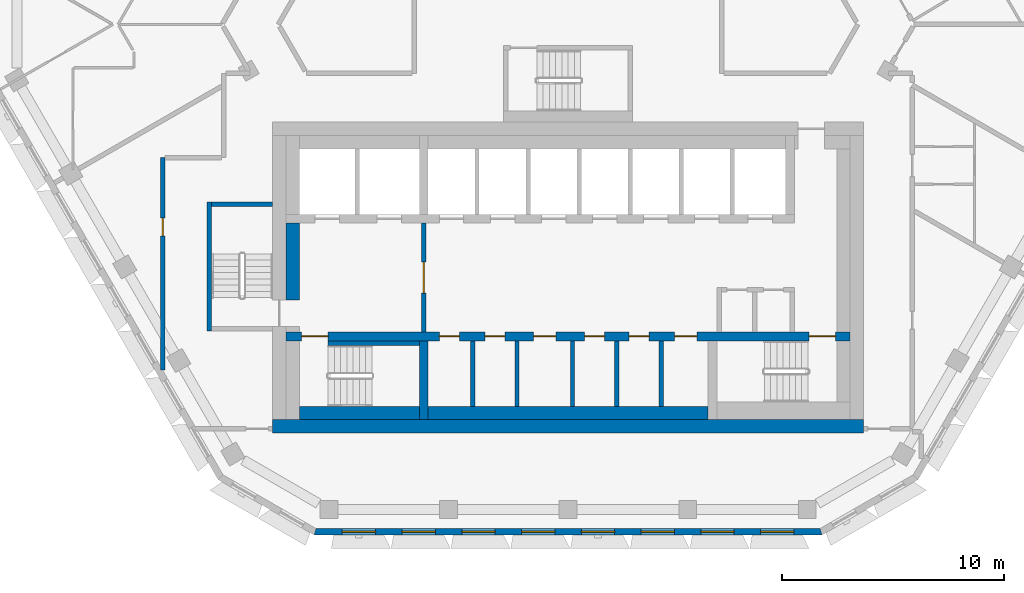
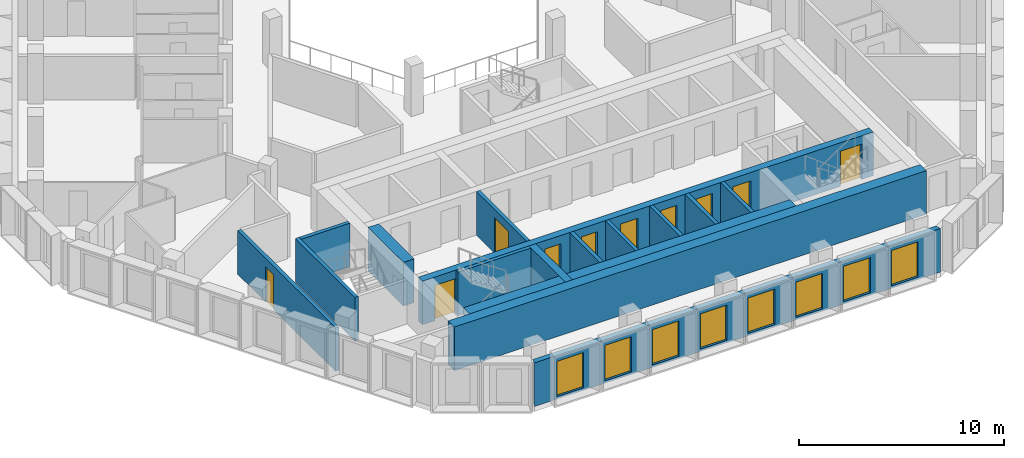
# One storey, part 3 of 18: 17 walls, 10 doors, 8 windows, 18 openings.
"""IFC4 building model written with IfcOpenShell, lengths in metres."""

import ifcopenshell
import ifcopenshell.guid

model = None  # the IFC model being written
_history = None  # IfcOwnerHistory: only IFC2X3 demands one
_inside = {}  # id of a spatial element -> (the spatial element, [elements in it])
_under = {}  # id of a project, library or spatial element -> (it, [spatial elements below it])
_declared = {}  # id of a project -> (the project, [libraries it declares])
_typed = {}  # id of a type object -> (the type object, [elements of that type])
_made_of = {}  # id of a material, layer set ... -> (it, [elements and type objects made of it])


def new_model(schema):
    """Start an empty IFC model of exactly this schema.

    Asked for "IFC4X3", IfcOpenShell would pick the latest addendum, in which some entities
    have other attributes; the version numbers below select the first issue.
    IFC2X3 requires an IfcOwnerHistory on every rooted entity: one is made here for all.
    """
    global model, _history
    if schema == "IFC4X3":
        model = ifcopenshell.file(schema_version=(4, 3, 0, 0))
    else:
        model = ifcopenshell.file(schema=schema)
    _inside.clear()
    _under.clear()
    _declared.clear()
    _typed.clear()
    _made_of.clear()
    _history = None
    if model.schema == "IFC2X3":
        org = make("IfcOrganization", Name="unknown")
        user = make(
            "IfcPersonAndOrganization",
            ThePerson=make("IfcPerson", FamilyName="unknown"),
            TheOrganization=org,
        )
        app = make(
            "IfcApplication",
            ApplicationDeveloper=org,
            Version="unknown",
            ApplicationFullName="unknown",
            ApplicationIdentifier="unknown",
        )
        _history = make(
            "IfcOwnerHistory",
            OwningUser=user,
            OwningApplication=app,
            ChangeAction="ADDED",
            CreationDate=0,
        )
    return model


def make(cls, **values):
    """One entity of the class cls with the attributes given. An attribute that is None is left unset."""
    return model.create_entity(
        cls, **{name: value for name, value in values.items() if value is not None}
    )


def rooted(cls, **values):
    """An entity with a GlobalId (a new one), such as an element, a storey or a relation."""
    return make(cls, GlobalId=ifcopenshell.guid.new(), OwnerHistory=_history, **values)


def si_unit(unit_type, name, prefix=None):
    """IfcSIUnit, for example si_unit("LENGTHUNIT", "METRE", prefix="MILLI")."""
    return make("IfcSIUnit", UnitType=unit_type, Prefix=prefix, Name=name)


def assignment(units):
    """IfcUnitAssignment: the units of a project."""
    return None if units is None else make("IfcUnitAssignment", Units=units)


def point(xyz):
    """IfcCartesianPoint."""
    return None if xyz is None else make("IfcCartesianPoint", Coordinates=xyz)


def direction(xyz):
    """IfcDirection."""
    return None if xyz is None else make("IfcDirection", DirectionRatios=xyz)


def frame(location, z_axis=None, x_axis=None):
    """IfcAxis2Placement3D, a coordinate frame: its origin and axes. An axis left out is left unset."""
    return make(
        "IfcAxis2Placement3D",
        Location=point(location),
        Axis=direction(z_axis),
        RefDirection=direction(x_axis),
    )


def frame_2d(location, x_axis=None):
    """IfcAxis2Placement2D, a coordinate frame in the plane: its origin and x axis."""
    return make(
        "IfcAxis2Placement2D", Location=point(location), RefDirection=direction(x_axis)
    )


def origin():
    """The frame at (0, 0, 0) with its axes left unset."""
    return frame((0.0, 0.0, 0.0))


def place(relative_to, where):
    """IfcLocalPlacement: puts the frame where relative to a parent placement (None: the world)."""
    return make(
        "IfcLocalPlacement", PlacementRelTo=relative_to, RelativePlacement=where
    )


def context(
    kind, dimensions, precision=None, world=None, true_north=None, identifier=None
):
    """IfcGeometricRepresentationContext, for example the 3D "Model" context."""
    return make(
        "IfcGeometricRepresentationContext",
        ContextIdentifier=identifier,
        ContextType=kind,
        CoordinateSpaceDimension=dimensions,
        Precision=precision,
        WorldCoordinateSystem=world,
        TrueNorth=true_north,
    )


def subcontext(parent, identifier, kind, view, scale=None):
    """IfcGeometricRepresentationSubContext, for example "Body" below "Model"."""
    return make(
        "IfcGeometricRepresentationSubContext",
        ContextIdentifier=identifier,
        ContextType=kind,
        ParentContext=parent,
        TargetScale=scale,
        TargetView=view,
    )


def project(units=None, contexts=None):
    """IfcProject with its units and contexts."""
    return rooted(
        "IfcProject",
        Name="project",
        RepresentationContexts=contexts,
        UnitsInContext=assignment(units),
    )


def spatial(cls, under=None, at=None, **own):
    """A site, building, storey or space (cls), placed at a placement, below another one or the project."""
    s = rooted(cls, ObjectPlacement=at, **own)
    if under is not None:
        _under.setdefault(under.id(), (under, []))[1].append(s)
    return s


def polyline(points):
    """IfcPolyline through the points."""
    return make("IfcPolyline", Points=[point(p) for p in points])


def profile(cls, at=None, kind="AREA", **sizes):
    """A parametric profile (cls). Its sizes go by their IFC names, for example OverallWidth=200.0."""
    return make(cls, ProfileType=kind, Position=at, **sizes)


def rectangle(**sizes):
    """IfcRectangleProfileDef."""
    return profile("IfcRectangleProfileDef", **sizes)


def outline(outer, holes=None, kind="AREA"):
    """IfcArbitraryClosedProfileDef: a profile drawn as a closed curve; with holes, ...WithVoids."""
    if holes is None:
        return make("IfcArbitraryClosedProfileDef", ProfileType=kind, OuterCurve=outer)
    return make(
        "IfcArbitraryProfileDefWithVoids",
        ProfileType=kind,
        OuterCurve=outer,
        InnerCurves=holes,
    )


def extrude(swept, where, along, depth):
    """IfcExtrudedAreaSolid: the profile swept, set in the frame where, extruded along a direction by depth."""
    return make(
        "IfcExtrudedAreaSolid",
        SweptArea=swept,
        Position=where,
        ExtrudedDirection=direction(along),
        Depth=depth,
    )


def shape(context_of_items, identifier, shape_type, items):
    """IfcShapeRepresentation: the items that make up one representation, for example the "Body"."""
    return make(
        "IfcShapeRepresentation",
        ContextOfItems=context_of_items,
        RepresentationIdentifier=identifier,
        RepresentationType=shape_type,
        Items=items,
    )


def material(Name=None, Category=None):
    """IfcMaterial."""
    return make("IfcMaterial", Name=Name, Category=Category)


def layer(
    of_material, thickness, ventilated=None, Name=None, Category=None, Priority=None
):
    """IfcMaterialLayer: one layer of a wall or slab, of a material (None: an air gap)."""
    return make(
        "IfcMaterialLayer",
        Material=of_material,
        LayerThickness=thickness,
        IsVentilated=ventilated,
        Name=Name,
        Category=Category,
        Priority=Priority,
    )


def layer_set(layers, Name=None):
    """IfcMaterialLayerSet."""
    return make("IfcMaterialLayerSet", MaterialLayers=layers, LayerSetName=Name)


def made_of(thing, what):
    """Note that an element or type object is made of a material, layer set ...; save() writes the relation."""
    if what is not None:
        _made_of.setdefault(what.id(), (what, []))[1].append(thing)
    return thing


def type_object(cls, material=None, **own):
    """A type object (cls), such as IfcWallType, which elements share."""
    return made_of(rooted(cls, **own), material)


def element(
    cls,
    number,
    at=None,
    inside=None,
    cuts=None,
    type_object=None,
    material=None,
    context=None,
    identifier="Body",
    shape_type=None,
    held_by="IfcProductDefinitionShape",
    body=None,
    shapes=None,
    **own,
):
    """One element of the class cls, such as IfcWall. Its Tag is "e" and its number.

    at: its placement. inside: the storey or other place that contains it. cuts: it is an
    opening in that element (IfcRelVoidsElement). A single representation is given by context,
    identifier, shape_type and body (its items); several are given by shapes. held_by: the class
    of the entity that holds the representations. save() writes the other relations.
    """
    e = rooted(cls, Tag="e%d" % number, ObjectPlacement=at, **own)
    if body is not None:
        shapes = [shape(context, identifier, shape_type, body)]
    if shapes is not None:
        e.Representation = make(held_by, Representations=shapes)
    if inside is not None:
        _inside.setdefault(inside.id(), (inside, []))[1].append(e)
    if cuts is not None:
        rooted(
            "IfcRelVoidsElement", RelatingBuildingElement=cuts, RelatedOpeningElement=e
        )
    if type_object is not None:
        _typed.setdefault(type_object.id(), (type_object, []))[1].append(e)
    return made_of(e, material)


def fill(opening, filler):
    """IfcRelFillsElement: the door or window that sits in an opening."""
    return rooted(
        "IfcRelFillsElement",
        RelatingOpeningElement=opening,
        RelatedBuildingElement=filler,
    )


def aggregate(whole, parts):
    """IfcRelAggregates: a whole, such as a stair, and the parts it consists of."""
    return rooted("IfcRelAggregates", RelatingObject=whole, RelatedObjects=parts)


def save(model, path):
    """Write the relations noted so far, then the file.

    IfcRelAggregates (storeys below a building ...), IfcRelContainedInSpatialStructure (elements
    in a storey), IfcRelDefinesByType, IfcRelAssociatesMaterial and IfcRelDeclares: one each for
    every whole, place, type object, material and project.
    """
    for whole, parts in _under.values():
        aggregate(whole, parts)
    for where, things in _inside.values():
        rooted(
            "IfcRelContainedInSpatialStructure",
            RelatedElements=things,
            RelatingStructure=where,
        )
    for kind, things in _typed.values():
        rooted("IfcRelDefinesByType", RelatedObjects=things, RelatingType=kind)
    for what, things in _made_of.values():
        rooted("IfcRelAssociatesMaterial", RelatedObjects=things, RelatingMaterial=what)
    for by, libraries in _declared.values():
        rooted("IfcRelDeclares", RelatingContext=by, RelatedDefinitions=libraries)
    model.write(path)


model = new_model("IFC4")

# Units and contexts
model_context = context("Model", 3, precision=1e-05, world=origin(), true_north=direction((0.0, 1.0)))
body_context = subcontext(model_context, "Body", "Model", "MODEL_VIEW")
ifc_project = project(units=[si_unit("LENGTHUNIT", "METRE"), si_unit("AREAUNIT", "SQUARE_METRE"), si_unit("VOLUMEUNIT", "CUBIC_METRE"), si_unit("PLANEANGLEUNIT", "RADIAN"), si_unit("MASSUNIT", "GRAM", prefix="KILO")], contexts=[model_context])

# Site, building, storey
site_placement = place(None, origin())
site = spatial("IfcSite", under=ifc_project, at=site_placement, CompositionType="ELEMENT")
building_placement = place(site_placement, origin())
building = spatial("IfcBuilding", under=site, at=building_placement, Name="Beryl Residences", CompositionType="ELEMENT")
storey_placement = place(building_placement, frame((0.0, 0.0, 196.199951171875)))
storey = spatial("IfcBuildingStorey", under=building, at=storey_placement, Name="L60", CompositionType="ELEMENT", Elevation=196.199951171875)

# Wall, openings, windows
ifc_material_1 = material(Name="Composite metal panel with mineral wool insulation")
ifc_layer_1 = layer(ifc_material_1, 0.300048828125)
ifc_layer_set_1 = layer_set([ifc_layer_1], Name="ES1 pale metal composite panel wall 300 mm")
wall_type_1 = type_object("IfcWallType", Name="ES1 pale metal composite panel wall 300 mm", PredefinedType="SOLIDWALL", material=ifc_layer_set_1)
wall_1_placement = place(storey_placement, frame((-11.430908203125, -23.449951171875, 0.0), z_axis=(0.0, 0.0, 1.0), x_axis=(1.0, 0.0, 0.0)))
wall_1 = element("IfcWall", 1, at=wall_1_placement, inside=storey, type_object=wall_type_1, Name="ES1 external wall L60 S", PredefinedType="SOLIDWALL", context=body_context, shape_type="SweptSolid", body=[
    extrude(outline(polyline([(0.0, -0.14990234375), (22.86181640625, -0.14990234375), (22.781494140625, 0.14990234375), (0.080322265625, 0.14990234375), (0.0, -0.14990234375)])), origin(), (0.0, 0.0, 1.0), 2.60009765625),
])
opening_1_placement = place(wall_1_placement, frame((1.260009765625, 0.0, 0.14990234375)))
opening_1 = element("IfcOpeningElement", 2, at=opening_1_placement, cuts=wall_1, Name="Opening W1", PredefinedType="OPENING", context=body_context, shape_type="SweptSolid", body=[
    extrude(rectangle(XDim=1.5, YDim=2.10009765625, at=frame_2d((0.75, 1.050048828125))), frame((0.0, 0.159912109375, 0.0), z_axis=(0.0, -1.0, 0.0), x_axis=(1.0, 0.0, 0.0)), (0.0, 0.0, 1.0), 0.320068359375),
])
opening_2_placement = place(wall_1_placement, frame((3.951904296875, 0.0, 0.14990234375)))
opening_2 = element("IfcOpeningElement", 3, at=opening_2_placement, cuts=wall_1, Name="Opening W1", PredefinedType="OPENING", context=body_context, shape_type="SweptSolid", body=[
    extrude(rectangle(XDim=1.5, YDim=2.10009765625, at=frame_2d((0.75, 1.050048828125))), frame((0.0, 0.159912109375, 0.0), z_axis=(0.0, -1.0, 0.0), x_axis=(1.0, 0.0, 0.0)), (0.0, 0.0, 1.0), 0.320068359375),
])
opening_3_placement = place(wall_1_placement, frame((6.64404296875, 0.0, 0.14990234375)))
opening_3 = element("IfcOpeningElement", 4, at=opening_3_placement, cuts=wall_1, Name="Opening W1", PredefinedType="OPENING", context=body_context, shape_type="SweptSolid", body=[
    extrude(rectangle(XDim=1.5, YDim=2.10009765625, at=frame_2d((0.75, 1.050048828125))), frame((0.0, 0.159912109375, 0.0), z_axis=(0.0, -1.0, 0.0), x_axis=(1.0, 0.0, 0.0)), (0.0, 0.0, 1.0), 0.320068359375),
])
opening_4_placement = place(wall_1_placement, frame((9.3359375, 0.0, 0.14990234375)))
opening_4 = element("IfcOpeningElement", 5, at=opening_4_placement, cuts=wall_1, Name="Opening W1", PredefinedType="OPENING", context=body_context, shape_type="SweptSolid", body=[
    extrude(rectangle(XDim=1.5, YDim=2.10009765625, at=frame_2d((0.75, 1.050048828125))), frame((0.0, 0.159912109375, 0.0), z_axis=(0.0, -1.0, 0.0), x_axis=(1.0, 0.0, 0.0)), (0.0, 0.0, 1.0), 0.320068359375),
])
opening_5_placement = place(wall_1_placement, frame((12.028076171875, 0.0, 0.14990234375)))
opening_5 = element("IfcOpeningElement", 6, at=opening_5_placement, cuts=wall_1, Name="Opening W1", PredefinedType="OPENING", context=body_context, shape_type="SweptSolid", body=[
    extrude(rectangle(XDim=1.5, YDim=2.10009765625, at=frame_2d((0.75, 1.050048828125))), frame((0.0, 0.159912109375, 0.0), z_axis=(0.0, -1.0, 0.0), x_axis=(1.0, 0.0, 0.0)), (0.0, 0.0, 1.0), 0.320068359375),
])
opening_6_placement = place(wall_1_placement, frame((14.719970703125, 0.0, 0.14990234375)))
opening_6 = element("IfcOpeningElement", 7, at=opening_6_placement, cuts=wall_1, Name="Opening W1", PredefinedType="OPENING", context=body_context, shape_type="SweptSolid", body=[
    extrude(rectangle(XDim=1.5, YDim=2.10009765625, at=frame_2d((0.75, 1.050048828125))), frame((0.0, 0.159912109375, 0.0), z_axis=(0.0, -1.0, 0.0), x_axis=(1.0, 0.0, 0.0)), (0.0, 0.0, 1.0), 0.320068359375),
])
opening_7_placement = place(wall_1_placement, frame((17.412109375, 0.0, 0.14990234375)))
opening_7 = element("IfcOpeningElement", 8, at=opening_7_placement, cuts=wall_1, Name="Opening W1", PredefinedType="OPENING", context=body_context, shape_type="SweptSolid", body=[
    extrude(rectangle(XDim=1.5, YDim=2.10009765625, at=frame_2d((0.75, 1.050048828125))), frame((0.0, 0.159912109375, 0.0), z_axis=(0.0, -1.0, 0.0), x_axis=(1.0, 0.0, 0.0)), (0.0, 0.0, 1.0), 0.320068359375),
])
opening_8_placement = place(wall_1_placement, frame((20.10400390625, 0.0, 0.14990234375)))
opening_8 = element("IfcOpeningElement", 9, at=opening_8_placement, cuts=wall_1, Name="Opening W1", PredefinedType="OPENING", context=body_context, shape_type="SweptSolid", body=[
    extrude(rectangle(XDim=1.5, YDim=2.10009765625, at=frame_2d((0.75, 1.050048828125))), frame((0.0, 0.159912109375, 0.0), z_axis=(0.0, -1.0, 0.0), x_axis=(1.0, 0.0, 0.0)), (0.0, 0.0, 1.0), 0.320068359375),
])
ifc_material_2 = material(Name="Aluminium and clear glass", Category="aluminium")
window_type = type_object("IfcWindowType", Name="W1 cell window 1500 x 2100 mm", PartitioningType="SINGLE_PANEL", PredefinedType="WINDOW", material=ifc_material_2)
window_1_placement = place(opening_1_placement, origin())
window_1 = element("IfcWindow", 10, at=window_1_placement, inside=storey, type_object=window_type, Name="W1 window L60 S 1", OverallHeight=2.10009765625, OverallWidth=1.5, PartitioningType="SINGLE_PANEL", PredefinedType="WINDOW", context=body_context, shape_type="SweptSolid", body=[
    extrude(rectangle(XDim=1.5, YDim=2.10009765625, at=frame_2d((0.75, 1.050048828125))), frame((0.0, 0.030029296875, 0.0), z_axis=(0.0, -1.0, 0.0), x_axis=(1.0, 0.0, 0.0)), (0.0, 0.0, 1.0), 0.06005859375),
])
fill(opening_1, window_1)
window_2_placement = place(opening_2_placement, origin())
window_2 = element("IfcWindow", 11, at=window_2_placement, inside=storey, type_object=window_type, Name="W1 window L60 S 2", OverallHeight=2.10009765625, OverallWidth=1.5, PartitioningType="SINGLE_PANEL", PredefinedType="WINDOW", context=body_context, shape_type="SweptSolid", body=[
    extrude(rectangle(XDim=1.5, YDim=2.10009765625, at=frame_2d((0.75, 1.050048828125))), frame((0.0, 0.030029296875, 0.0), z_axis=(0.0, -1.0, 0.0), x_axis=(1.0, 0.0, 0.0)), (0.0, 0.0, 1.0), 0.06005859375),
])
fill(opening_2, window_2)
window_3_placement = place(opening_3_placement, origin())
window_3 = element("IfcWindow", 12, at=window_3_placement, inside=storey, type_object=window_type, Name="W1 window L60 S 3", OverallHeight=2.10009765625, OverallWidth=1.5, PartitioningType="SINGLE_PANEL", PredefinedType="WINDOW", context=body_context, shape_type="SweptSolid", body=[
    extrude(rectangle(XDim=1.5, YDim=2.10009765625, at=frame_2d((0.75, 1.050048828125))), frame((0.0, 0.030029296875, 0.0), z_axis=(0.0, -1.0, 0.0), x_axis=(1.0, 0.0, 0.0)), (0.0, 0.0, 1.0), 0.06005859375),
])
fill(opening_3, window_3)
window_4_placement = place(opening_4_placement, origin())
window_4 = element("IfcWindow", 13, at=window_4_placement, inside=storey, type_object=window_type, Name="W1 window L60 S 4", OverallHeight=2.10009765625, OverallWidth=1.5, PartitioningType="SINGLE_PANEL", PredefinedType="WINDOW", context=body_context, shape_type="SweptSolid", body=[
    extrude(rectangle(XDim=1.5, YDim=2.10009765625, at=frame_2d((0.75, 1.050048828125))), frame((0.0, 0.030029296875, 0.0), z_axis=(0.0, -1.0, 0.0), x_axis=(1.0, 0.0, 0.0)), (0.0, 0.0, 1.0), 0.06005859375),
])
fill(opening_4, window_4)
window_5_placement = place(opening_5_placement, origin())
window_5 = element("IfcWindow", 14, at=window_5_placement, inside=storey, type_object=window_type, Name="W1 window L60 S 5", OverallHeight=2.10009765625, OverallWidth=1.5, PartitioningType="SINGLE_PANEL", PredefinedType="WINDOW", context=body_context, shape_type="SweptSolid", body=[
    extrude(rectangle(XDim=1.5, YDim=2.10009765625, at=frame_2d((0.75, 1.050048828125))), frame((0.0, 0.030029296875, 0.0), z_axis=(0.0, -1.0, 0.0), x_axis=(1.0, 0.0, 0.0)), (0.0, 0.0, 1.0), 0.06005859375),
])
fill(opening_5, window_5)
window_6_placement = place(opening_6_placement, origin())
window_6 = element("IfcWindow", 15, at=window_6_placement, inside=storey, type_object=window_type, Name="W1 window L60 S 6", OverallHeight=2.10009765625, OverallWidth=1.5, PartitioningType="SINGLE_PANEL", PredefinedType="WINDOW", context=body_context, shape_type="SweptSolid", body=[
    extrude(rectangle(XDim=1.5, YDim=2.10009765625, at=frame_2d((0.75, 1.050048828125))), frame((0.0, 0.030029296875, 0.0), z_axis=(0.0, -1.0, 0.0), x_axis=(1.0, 0.0, 0.0)), (0.0, 0.0, 1.0), 0.06005859375),
])
fill(opening_6, window_6)
window_7_placement = place(opening_7_placement, origin())
window_7 = element("IfcWindow", 16, at=window_7_placement, inside=storey, type_object=window_type, Name="W1 window L60 S 7", OverallHeight=2.10009765625, OverallWidth=1.5, PartitioningType="SINGLE_PANEL", PredefinedType="WINDOW", context=body_context, shape_type="SweptSolid", body=[
    extrude(rectangle(XDim=1.5, YDim=2.10009765625, at=frame_2d((0.75, 1.050048828125))), frame((0.0, 0.030029296875, 0.0), z_axis=(0.0, -1.0, 0.0), x_axis=(1.0, 0.0, 0.0)), (0.0, 0.0, 1.0), 0.06005859375),
])
fill(opening_7, window_7)
window_8_placement = place(opening_8_placement, origin())
window_8 = element("IfcWindow", 17, at=window_8_placement, inside=storey, type_object=window_type, Name="W1 window L60 S 8", OverallHeight=2.10009765625, OverallWidth=1.5, PartitioningType="SINGLE_PANEL", PredefinedType="WINDOW", context=body_context, shape_type="SweptSolid", body=[
    extrude(rectangle(XDim=1.5, YDim=2.10009765625, at=frame_2d((0.75, 1.050048828125))), frame((0.0, 0.030029296875, 0.0), z_axis=(0.0, -1.0, 0.0), x_axis=(1.0, 0.0, 0.0)), (0.0, 0.0, 1.0), 0.06005859375),
])
fill(opening_8, window_8)

# Wall, opening, door
ifc_material_3 = material(Name="Concrete masonry", Category="masonry")
ifc_layer_2 = layer(ifc_material_3, 0.199951171875)
ifc_layer_set_2 = layer_set([ifc_layer_2], Name="PT13 lobby wall 200 mm")
wall_type_2 = type_object("IfcWallType", Name="PT13 lobby wall 200 mm", PredefinedType="PARTITIONING", material=ifc_layer_set_2)
wall_2_placement = place(storey_placement, frame((-6.5, -14.449951171875, 0.0), z_axis=(0.0, 0.0, 1.0), x_axis=(0.0, 1.0, 0.0)))
wall_2 = element("IfcWall", 18, at=wall_2_placement, inside=storey, type_object=wall_type_2, Name="Lobby wall 12", PredefinedType="PARTITIONING", context=body_context, shape_type="SweptSolid", body=[
    extrude(rectangle(XDim=4.89990234375, YDim=0.199951171875, at=frame_2d((2.449951171875, 0.0))), origin(), (0.0, 0.0, 1.0), 2.60009765625),
])
opening_9_placement = place(wall_2_placement, frame((3.14990234375, 0.0, 0.0), z_axis=(0.0, 0.0, 1.0), x_axis=(-1.0, 0.0, 0.0)))
opening_9 = element("IfcOpeningElement", 19, at=opening_9_placement, cuts=wall_2, Name="Opening FD-FFL", PredefinedType="OPENING", context=body_context, shape_type="SweptSolid", body=[
    extrude(rectangle(XDim=1.39990234375, YDim=2.10009765625, at=frame_2d((0.699951171875, 1.050048828125))), frame((0.0, 0.10986328125, 0.0), z_axis=(0.0, -1.0, 0.0), x_axis=(1.0, 0.0, 0.0)), (0.0, 0.0, 1.0), 0.219970703125),
])
ifc_material_4 = material(Name="Steel door leaf in steel frame", Category="steel")
door_type_1 = type_object("IfcDoorType", Name="D5 lobby door 1400 x 2100 mm", OperationType="DOUBLE_DOOR_SINGLE_SWING", PredefinedType="DOOR", material=ifc_material_4)
door_1_placement = place(opening_9_placement, origin())
door_1 = element("IfcDoor", 20, at=door_1_placement, inside=storey, type_object=door_type_1, Name="Door FD-FFL L60 001", OperationType="DOUBLE_DOOR_SINGLE_SWING", OverallHeight=2.10009765625, OverallWidth=1.39990234375, PredefinedType="DOOR", context=body_context, shape_type="SweptSolid", body=[
    extrude(rectangle(XDim=1.39990234375, YDim=2.10009765625, at=frame_2d((0.699951171875, 1.050048828125))), frame((0.0, 0.02490234375, 0.0), z_axis=(0.0, -1.0, 0.0), x_axis=(1.0, 0.0, 0.0)), (0.0, 0.0, 1.0), 0.050048828125),
])
fill(opening_9, door_1)

# Wall
ifc_material_5 = material(Name="Concrete masonry", Category="masonry")
ifc_layer_3 = layer(ifc_material_5, 0.60009765625)
ifc_layer_set_3 = layer_set([ifc_layer_3], Name="PT13-600 lobby wall 600 mm")
wall_type_3 = type_object("IfcWallType", Name="PT13-600 lobby wall 600 mm", PredefinedType="PARTITIONING", material=ifc_layer_set_3)
wall_3_placement = place(storey_placement, frame((-12.39990234375, -13.0, 0.0), z_axis=(0.0, 0.0, 1.0), x_axis=(0.0, 1.0, 0.0)))
element("IfcWall", 21, at=wall_3_placement, inside=storey, type_object=wall_type_3, Name="Lobby wall 06", PredefinedType="PARTITIONING", context=body_context, shape_type="SweptSolid", body=[
    extrude(rectangle(XDim=3.449951171875, YDim=0.60009765625, at=frame_2d((1.72509765625, 0.0))), origin(), (0.0, 0.0, 1.0), 2.60009765625),
])

# Wall, opening, door
ifc_material_6 = material(Name="Double stud gypsum board wall")
ifc_layer_4 = layer(ifc_material_6, 0.199951171875)
ifc_layer_set_4 = layer_set([ifc_layer_4], Name="PT4 corridor wall 200 mm double stud")
wall_type_4 = type_object("IfcWallType", Name="PT4 corridor wall 200 mm double stud", PredefinedType="PARTITIONING", material=ifc_layer_set_4)
wall_4_placement = place(storey_placement, frame((-18.25, -16.152099609375, 0.0), z_axis=(0.0, 0.0, 1.0), x_axis=(0.0, 1.0, 0.0)))
wall_4 = element("IfcWall", 22, at=wall_4_placement, inside=storey, type_object=wall_type_4, Name="Wall PT4 L60 025", PredefinedType="PARTITIONING", context=body_context, shape_type="SweptSolid", body=[
    extrude(rectangle(XDim=9.551025390625, YDim=0.199951171875, at=frame_2d((4.775390625, 0.0))), origin(), (0.0, 0.0, 1.0), 2.60009765625),
])
opening_10_placement = place(wall_4_placement, frame((6.02587890625, 0.0, 0.0)))
opening_10 = element("IfcOpeningElement", 23, at=opening_10_placement, cuts=wall_4, Name="Opening D1532", PredefinedType="OPENING", context=body_context, shape_type="SweptSolid", body=[
    extrude(rectangle(XDim=0.800048828125, YDim=2.10009765625, at=frame_2d((0.39990234375, 1.050048828125))), frame((0.0, 0.10986328125, 0.0), z_axis=(0.0, -1.0, 0.0), x_axis=(1.0, 0.0, 0.0)), (0.0, 0.0, 1.0), 0.219970703125),
])
ifc_material_7 = material(Name="Timber door leaf", Category="wood")
door_type_2 = type_object("IfcDoorType", Name="D3 bathroom door 800 x 2100 mm", OperationType="SINGLE_SWING_LEFT", PredefinedType="DOOR", material=ifc_material_7)
door_2_placement = place(opening_10_placement, origin())
door_2 = element("IfcDoor", 24, at=door_2_placement, inside=storey, type_object=door_type_2, Name="Door D1532 L60 001", OperationType="SINGLE_SWING_RIGHT", OverallHeight=2.10009765625, OverallWidth=0.800048828125, PredefinedType="DOOR", context=body_context, shape_type="SweptSolid", body=[
    extrude(rectangle(XDim=0.800048828125, YDim=2.10009765625, at=frame_2d((0.39990234375, 1.050048828125))), frame((0.0, 0.02490234375, 0.0), z_axis=(0.0, -1.0, 0.0), x_axis=(1.0, 0.0, 0.0)), (0.0, 0.0, 1.0), 0.050048828125),
])
fill(opening_10, door_2)

# Walls
ifc_material_8 = material(Name="Concrete C40/50", Category="concrete")
ifc_layer_5 = layer(ifc_material_8, 0.199951171875)
ifc_layer_set_5 = layer_set([ifc_layer_5], Name="PT5 stair enclosure wall 200 mm reinforced concrete C40/50")
wall_type_5 = type_object("IfcWallType", Name="PT5 stair enclosure wall 200 mm reinforced concrete C40/50", PredefinedType="SOLIDWALL", material=ifc_layer_set_5)
wall_5_placement = place(storey_placement, frame((-16.14990234375, -14.39990234375, 0.0), z_axis=(0.0, 0.0, 1.0), x_axis=(0.0, 1.0, 0.0)))
element("IfcWall", 25, at=wall_5_placement, inside=storey, type_object=wall_type_5, Name="Stair wall 01", PredefinedType="SOLIDWALL", context=body_context, shape_type="SweptSolid", body=[
    extrude(rectangle(XDim=5.7998046875, YDim=0.199951171875, at=frame_2d((2.89990234375, 0.0))), origin(), (0.0, 0.0, 1.0), 2.60009765625),
])
wall_6_placement = place(storey_placement, frame((-16.050048828125, -8.699951171875, 0.0), z_axis=(0.0, 0.0, 1.0), x_axis=(1.0, 0.0, 0.0)))
element("IfcWall", 26, at=wall_6_placement, inside=storey, type_object=wall_type_5, Name="Stair wall 03", PredefinedType="SOLIDWALL", context=body_context, shape_type="SweptSolid", body=[
    extrude(rectangle(XDim=2.75, YDim=0.199951171875, at=frame_2d((1.375, 0.0))), origin(), (0.0, 0.0, 1.0), 2.60009765625),
])
wall_7_placement = place(storey_placement, frame((-10.800048828125, -14.949951171875, 0.0), z_axis=(0.0, 0.0, 1.0), x_axis=(1.0, 0.0, 0.0)))
element("IfcWall", 27, at=wall_7_placement, inside=storey, type_object=wall_type_5, Name="Stair wall 10", PredefinedType="SOLIDWALL", context=body_context, shape_type="SweptSolid", body=[
    extrude(rectangle(XDim=4.10009765625, YDim=0.199951171875, at=frame_2d((2.050048828125, 0.0))), origin(), (0.0, 0.0, 1.0), 2.60009765625),
])
ifc_material_9 = material(Name="Concrete C40/50", Category="concrete")
ifc_layer_6 = layer(ifc_material_9, 0.60009765625)
ifc_layer_set_6 = layer_set([ifc_layer_6], Name="PT5-600 stair enclosure wall 600 mm")
wall_type_6 = type_object("IfcWallType", Name="PT5-600 stair enclosure wall 600 mm", PredefinedType="SOLIDWALL", material=ifc_layer_set_6)
wall_8_placement = place(storey_placement, frame((-12.10009765625, -18.10009765625, 0.0), z_axis=(0.0, 0.0, 1.0), x_axis=(1.0, 0.0, 0.0)))
element("IfcWall", 28, at=wall_8_placement, inside=storey, type_object=wall_type_6, Name="Stair wall 08", PredefinedType="SOLIDWALL", context=body_context, shape_type="SweptSolid", body=[
    extrude(rectangle(XDim=5.400146484375, YDim=0.60009765625, at=frame_2d((2.7001953125, 0.0))), origin(), (0.0, 0.0, 1.0), 2.60009765625),
])
ifc_material_10 = material(Name="Concrete masonry", Category="masonry")
ifc_layer_7 = layer(ifc_material_10, 0.199951171875)
ifc_layer_set_7 = layer_set([ifc_layer_7], Name="PT8-200 service room wall 200 mm")
wall_type_7 = type_object("IfcWallType", Name="PT8-200 service room wall 200 mm", PredefinedType="PARTITIONING", material=ifc_layer_set_7)
for number, where, z_axis, x_axis, name in (
    (29, (-4.300048828125, -17.800048828125, 0.0), (0.0, 0.0, 1.0), (0.0, 1.0, 0.0), "Core room wall 15"),
    (30, (-2.300048828125, -17.800048828125, 0.0), (0.0, 0.0, 1.0), (0.0, 1.0, 0.0), "Core room wall 17"),
    (31, (0.199951171875, -17.800048828125, 0.0), (0.0, 0.0, 1.0), (0.0, 1.0, 0.0), "Core room wall 19"),
    (32, (2.199951171875, -17.800048828125, 0.0), (0.0, 0.0, 1.0), (0.0, 1.0, 0.0), "Core room wall 21"),
    (33, (4.199951171875, -17.800048828125, 0.0), (0.0, 0.0, 1.0), (0.0, 1.0, 0.0), "Core room wall 23"),
):
    element("IfcWall", number, at=place(storey_placement, frame(where, z_axis=z_axis, x_axis=x_axis)), inside=storey, type_object=wall_type_7, Name=name, PredefinedType="PARTITIONING", context=body_context, shape_type="SweptSolid", body=[
        extrude(rectangle(XDim=2.949951171875, YDim=0.199951171875, at=frame_2d((1.47509765625, 0.0))), origin(), (0.0, 0.0, 1.0), 2.60009765625),
    ])
ifc_material_11 = material(Name="Concrete masonry", Category="masonry")
ifc_layer_8 = layer(ifc_material_11, 0.60009765625)
ifc_layer_set_8 = layer_set([ifc_layer_8], Name="PT8-600 service room wall 600 mm")
wall_type_8 = type_object("IfcWallType", Name="PT8-600 service room wall 600 mm", PredefinedType="PARTITIONING", material=ifc_layer_set_8)
wall_9_placement = place(storey_placement, frame((-6.300048828125, -18.10009765625, 0.0), z_axis=(0.0, 0.0, 1.0), x_axis=(1.0, 0.0, 0.0)))
element("IfcWall", 34, at=wall_9_placement, inside=storey, type_object=wall_type_8, Name="Core room wall 13", PredefinedType="PARTITIONING", context=body_context, shape_type="SweptSolid", body=[
    extrude(rectangle(XDim=12.60009765625, YDim=0.60009765625, at=frame_2d((6.300048828125, 0.0))), origin(), (0.0, 0.0, 1.0), 2.60009765625),
])
ifc_material_12 = material(Name="Concrete C50/60", Category="concrete")
ifc_layer_9 = layer(ifc_material_12, 0.60009765625)
ifc_layer_set_9 = layer_set([ifc_layer_9], Name="SW4 core outer wall 600 mm C50/60")
wall_type_9 = type_object("IfcWallType", Name="SW4 core outer wall 600 mm C50/60", PredefinedType="SHEAR", material=ifc_layer_set_9)
wall_10_placement = place(storey_placement, frame((-13.300048828125, -18.699951171875, 0.0), z_axis=(0.0, 0.0, 1.0), x_axis=(1.0, 0.0, 0.0)))
element("IfcWall", 35, at=wall_10_placement, inside=storey, type_object=wall_type_9, Name="Core wall S L60", PredefinedType="SHEAR", context=body_context, shape_type="SweptSolid", body=[
    extrude(rectangle(XDim=26.60009765625, YDim=0.60009765625, at=frame_2d((13.300048828125, 0.0))), origin(), (0.0, 0.0, 1.0), 2.60009765625),
])

# Wall, openings, doors
ifc_material_13 = material(Name="Concrete C50/60", Category="concrete")
ifc_layer_10 = layer(ifc_material_13, 0.39990234375)
ifc_layer_set_10 = layer_set([ifc_layer_10], Name="SW9 core internal wall 400 mm C50/60")
wall_type_10 = type_object("IfcWallType", Name="SW9 core internal wall 400 mm C50/60", PredefinedType="SHEAR", material=ifc_layer_set_10)
wall_11_placement = place(storey_placement, frame((-12.699951171875, -14.64990234375, 0.0), z_axis=(0.0, 0.0, 1.0), x_axis=(1.0, 0.0, 0.0)))
wall_11 = element("IfcWall", 36, at=wall_11_placement, inside=storey, type_object=wall_type_10, Name="Core wall SP1 L60", PredefinedType="SHEAR", context=body_context, shape_type="SweptSolid", body=[
    extrude(rectangle(XDim=25.39990234375, YDim=0.39990234375, at=frame_2d((12.699951171875, 0.0))), origin(), (0.0, 0.0, 1.0), 2.60009765625),
])
opening_11_placement = place(wall_11_placement, frame((1.89990234375, 0.0, 0.0), z_axis=(0.0, 0.0, 1.0), x_axis=(-1.0, 0.0, 0.0)))
opening_11 = element("IfcOpeningElement", 37, at=opening_11_placement, cuts=wall_11, Name="Opening SD-1", PredefinedType="OPENING", context=body_context, shape_type="SweptSolid", body=[
    extrude(rectangle(XDim=1.199951171875, YDim=2.10009765625, at=frame_2d((0.60009765625, 1.050048828125))), frame((0.0, 0.2099609375, 0.0), z_axis=(0.0, -1.0, 0.0), x_axis=(1.0, 0.0, 0.0)), (0.0, 0.0, 1.0), 0.419921875),
])
opening_12_placement = place(wall_11_placement, frame((24.75, 0.0, 0.0), z_axis=(0.0, 0.0, 1.0), x_axis=(-1.0, 0.0, 0.0)))
opening_12 = element("IfcOpeningElement", 38, at=opening_12_placement, cuts=wall_11, Name="Opening SD-3", PredefinedType="OPENING", context=body_context, shape_type="SweptSolid", body=[
    extrude(rectangle(XDim=1.199951171875, YDim=2.10009765625, at=frame_2d((0.60009765625, 1.050048828125))), frame((0.0, 0.2099609375, 0.0), z_axis=(0.0, -1.0, 0.0), x_axis=(1.0, 0.0, 0.0)), (0.0, 0.0, 1.0), 0.419921875),
])
opening_13_placement = place(wall_11_placement, frame((7.7998046875, 0.0, 0.0), z_axis=(0.0, 0.0, 1.0), x_axis=(-1.0, 0.0, 0.0)))
opening_13 = element("IfcOpeningElement", 39, at=opening_13_placement, cuts=wall_11, Name="Opening CD-D-S1-900", PredefinedType="OPENING", context=body_context, shape_type="SweptSolid", body=[
    extrude(rectangle(XDim=0.89990234375, YDim=2.10009765625, at=frame_2d((0.449951171875, 1.050048828125))), frame((0.0, 0.2099609375, 0.0), z_axis=(0.0, -1.0, 0.0), x_axis=(1.0, 0.0, 0.0)), (0.0, 0.0, 1.0), 0.419921875),
])
opening_14_placement = place(wall_11_placement, frame((9.849853515625, 0.0, 0.0), z_axis=(0.0, 0.0, 1.0), x_axis=(-1.0, 0.0, 0.0)))
opening_14 = element("IfcOpeningElement", 40, at=opening_14_placement, cuts=wall_11, Name="Opening CD-D-S2-900", PredefinedType="OPENING", context=body_context, shape_type="SweptSolid", body=[
    extrude(rectangle(XDim=0.89990234375, YDim=2.10009765625, at=frame_2d((0.449951171875, 1.050048828125))), frame((0.0, 0.2099609375, 0.0), z_axis=(0.0, -1.0, 0.0), x_axis=(1.0, 0.0, 0.0)), (0.0, 0.0, 1.0), 0.419921875),
])
opening_15_placement = place(wall_11_placement, frame((12.14990234375, 0.0, 0.0), z_axis=(0.0, 0.0, 1.0), x_axis=(-1.0, 0.0, 0.0)))
opening_15 = element("IfcOpeningElement", 41, at=opening_15_placement, cuts=wall_11, Name="Opening CD-D-S3", PredefinedType="OPENING", context=body_context, shape_type="SweptSolid", body=[
    extrude(rectangle(XDim=1.0, YDim=2.10009765625, at=frame_2d((0.5, 1.050048828125))), frame((0.0, 0.2099609375, 0.0), z_axis=(0.0, -1.0, 0.0), x_axis=(1.0, 0.0, 0.0)), (0.0, 0.0, 1.0), 0.419921875),
])
opening_16_placement = place(wall_11_placement, frame((14.349853515625, 0.0, 0.0), z_axis=(0.0, 0.0, 1.0), x_axis=(-1.0, 0.0, 0.0)))
opening_16 = element("IfcOpeningElement", 42, at=opening_16_placement, cuts=wall_11, Name="Opening CD-D-S4-900", PredefinedType="OPENING", context=body_context, shape_type="SweptSolid", body=[
    extrude(rectangle(XDim=0.89990234375, YDim=2.10009765625, at=frame_2d((0.449951171875, 1.050048828125))), frame((0.0, 0.2099609375, 0.0), z_axis=(0.0, -1.0, 0.0), x_axis=(1.0, 0.0, 0.0)), (0.0, 0.0, 1.0), 0.419921875),
])
opening_17_placement = place(wall_11_placement, frame((16.349853515625, 0.0, 0.0), z_axis=(0.0, 0.0, 1.0), x_axis=(-1.0, 0.0, 0.0)))
opening_17 = element("IfcOpeningElement", 43, at=opening_17_placement, cuts=wall_11, Name="Opening CD-D-S5-900", PredefinedType="OPENING", context=body_context, shape_type="SweptSolid", body=[
    extrude(rectangle(XDim=0.89990234375, YDim=2.10009765625, at=frame_2d((0.449951171875, 1.050048828125))), frame((0.0, 0.2099609375, 0.0), z_axis=(0.0, -1.0, 0.0), x_axis=(1.0, 0.0, 0.0)), (0.0, 0.0, 1.0), 0.419921875),
])
opening_18_placement = place(wall_11_placement, frame((18.5, 0.0, 0.0), z_axis=(0.0, 0.0, 1.0), x_axis=(-1.0, 0.0, 0.0)))
opening_18 = element("IfcOpeningElement", 44, at=opening_18_placement, cuts=wall_11, Name="Opening CD-D-S6", PredefinedType="OPENING", context=body_context, shape_type="SweptSolid", body=[
    extrude(rectangle(XDim=1.0, YDim=2.10009765625, at=frame_2d((0.5, 1.050048828125))), frame((0.0, 0.2099609375, 0.0), z_axis=(0.0, -1.0, 0.0), x_axis=(1.0, 0.0, 0.0)), (0.0, 0.0, 1.0), 0.419921875),
])
ifc_material_14 = material(Name="Steel door leaf in steel frame", Category="steel")
door_type_3 = type_object("IfcDoorType", Name="D18 service room door 1000 x 2100 mm", OperationType="SINGLE_SWING_LEFT", PredefinedType="DOOR", material=ifc_material_14)
door_3_placement = place(opening_15_placement, origin())
door_3 = element("IfcDoor", 45, at=door_3_placement, inside=storey, type_object=door_type_3, Name="Door CD-D-S3 L60 001", OperationType="SINGLE_SWING_RIGHT", OverallHeight=2.10009765625, OverallWidth=1.0, PredefinedType="DOOR", context=body_context, shape_type="SweptSolid", body=[
    extrude(rectangle(XDim=1.0, YDim=2.10009765625, at=frame_2d((0.5, 1.050048828125))), frame((0.0, 0.02490234375, 0.0), z_axis=(0.0, -1.0, 0.0), x_axis=(1.0, 0.0, 0.0)), (0.0, 0.0, 1.0), 0.050048828125),
])
fill(opening_15, door_3)
door_4_placement = place(opening_18_placement, origin())
door_4 = element("IfcDoor", 46, at=door_4_placement, inside=storey, type_object=door_type_3, Name="Door CD-D-S6 L60 001", OperationType="SINGLE_SWING_LEFT", OverallHeight=2.10009765625, OverallWidth=1.0, PredefinedType="DOOR", context=body_context, shape_type="SweptSolid", body=[
    extrude(rectangle(XDim=1.0, YDim=2.10009765625, at=frame_2d((0.5, 1.050048828125))), frame((0.0, 0.02490234375, 0.0), z_axis=(0.0, -1.0, 0.0), x_axis=(1.0, 0.0, 0.0)), (0.0, 0.0, 1.0), 0.050048828125),
])
fill(opening_18, door_4)
ifc_material_15 = material(Name="Steel door leaf in steel frame", Category="steel")
door_type_4 = type_object("IfcDoorType", Name="D4 stair door 1200 x 2100 mm", OperationType="SINGLE_SWING_LEFT", PredefinedType="DOOR", material=ifc_material_15)
door_5_placement = place(opening_11_placement, origin())
door_5 = element("IfcDoor", 47, at=door_5_placement, inside=storey, type_object=door_type_4, Name="Door SD-1 L60 001", OperationType="SINGLE_SWING_RIGHT", OverallHeight=2.10009765625, OverallWidth=1.199951171875, PredefinedType="DOOR", context=body_context, shape_type="SweptSolid", body=[
    extrude(rectangle(XDim=1.199951171875, YDim=2.10009765625, at=frame_2d((0.60009765625, 1.050048828125))), frame((0.0, 0.02490234375, 0.0), z_axis=(0.0, -1.0, 0.0), x_axis=(1.0, 0.0, 0.0)), (0.0, 0.0, 1.0), 0.050048828125),
])
fill(opening_11, door_5)
door_6_placement = place(opening_12_placement, origin())
door_6 = element("IfcDoor", 48, at=door_6_placement, inside=storey, type_object=door_type_4, Name="Door SD-3 L60 001", OperationType="SINGLE_SWING_RIGHT", OverallHeight=2.10009765625, OverallWidth=1.199951171875, PredefinedType="DOOR", context=body_context, shape_type="SweptSolid", body=[
    extrude(rectangle(XDim=1.199951171875, YDim=2.10009765625, at=frame_2d((0.60009765625, 1.050048828125))), frame((0.0, 0.02490234375, 0.0), z_axis=(0.0, -1.0, 0.0), x_axis=(1.0, 0.0, 0.0)), (0.0, 0.0, 1.0), 0.050048828125),
])
fill(opening_12, door_6)
ifc_material_16 = material(Name="Steel door leaf in steel frame", Category="steel")
door_type_5 = type_object("IfcDoorType", Name="D6 service room door 900 x 2100 mm", OperationType="SINGLE_SWING_LEFT", PredefinedType="DOOR", material=ifc_material_16)
door_7_placement = place(opening_13_placement, origin())
door_7 = element("IfcDoor", 49, at=door_7_placement, inside=storey, type_object=door_type_5, Name="Door CD-D-S1-900 L60 001", OperationType="SINGLE_SWING_RIGHT", OverallHeight=2.10009765625, OverallWidth=0.89990234375, PredefinedType="DOOR", context=body_context, shape_type="SweptSolid", body=[
    extrude(rectangle(XDim=0.89990234375, YDim=2.10009765625, at=frame_2d((0.449951171875, 1.050048828125))), frame((0.0, 0.02490234375, 0.0), z_axis=(0.0, -1.0, 0.0), x_axis=(1.0, 0.0, 0.0)), (0.0, 0.0, 1.0), 0.050048828125),
])
fill(opening_13, door_7)
door_8_placement = place(opening_14_placement, origin())
door_8 = element("IfcDoor", 50, at=door_8_placement, inside=storey, type_object=door_type_5, Name="Door CD-D-S2-900 L60 001", OperationType="SINGLE_SWING_LEFT", OverallHeight=2.10009765625, OverallWidth=0.89990234375, PredefinedType="DOOR", context=body_context, shape_type="SweptSolid", body=[
    extrude(rectangle(XDim=0.89990234375, YDim=2.10009765625, at=frame_2d((0.449951171875, 1.050048828125))), frame((0.0, 0.02490234375, 0.0), z_axis=(0.0, -1.0, 0.0), x_axis=(1.0, 0.0, 0.0)), (0.0, 0.0, 1.0), 0.050048828125),
])
fill(opening_14, door_8)
door_9_placement = place(opening_16_placement, origin())
door_9 = element("IfcDoor", 51, at=door_9_placement, inside=storey, type_object=door_type_5, Name="Door CD-D-S4-900 L60 001", OperationType="SINGLE_SWING_LEFT", OverallHeight=2.10009765625, OverallWidth=0.89990234375, PredefinedType="DOOR", context=body_context, shape_type="SweptSolid", body=[
    extrude(rectangle(XDim=0.89990234375, YDim=2.10009765625, at=frame_2d((0.449951171875, 1.050048828125))), frame((0.0, 0.02490234375, 0.0), z_axis=(0.0, -1.0, 0.0), x_axis=(1.0, 0.0, 0.0)), (0.0, 0.0, 1.0), 0.050048828125),
])
fill(opening_16, door_9)
door_10_placement = place(opening_17_placement, origin())
door_10 = element("IfcDoor", 52, at=door_10_placement, inside=storey, type_object=door_type_5, Name="Door CD-D-S5-900 L60 001", OperationType="SINGLE_SWING_RIGHT", OverallHeight=2.10009765625, OverallWidth=0.89990234375, PredefinedType="DOOR", context=body_context, shape_type="SweptSolid", body=[
    extrude(rectangle(XDim=0.89990234375, YDim=2.10009765625, at=frame_2d((0.449951171875, 1.050048828125))), frame((0.0, 0.02490234375, 0.0), z_axis=(0.0, -1.0, 0.0), x_axis=(1.0, 0.0, 0.0)), (0.0, 0.0, 1.0), 0.050048828125),
])
fill(opening_17, door_10)

# Wall
wall_12_placement = place(storey_placement, frame((-6.5, -18.39990234375, 0.0), z_axis=(0.0, 0.0, 1.0), x_axis=(0.0, 1.0, 0.0)))
element("IfcWall", 53, at=wall_12_placement, inside=storey, type_object=wall_type_10, Name="Core wall XS1 L60", PredefinedType="SHEAR", context=body_context, shape_type="SweptSolid", body=[
    extrude(rectangle(XDim=3.5498046875, YDim=0.39990234375, at=frame_2d((1.77490234375, 0.0))), origin(), (0.0, 0.0, 1.0), 2.60009765625),
])

save(model, "model.ifc")
